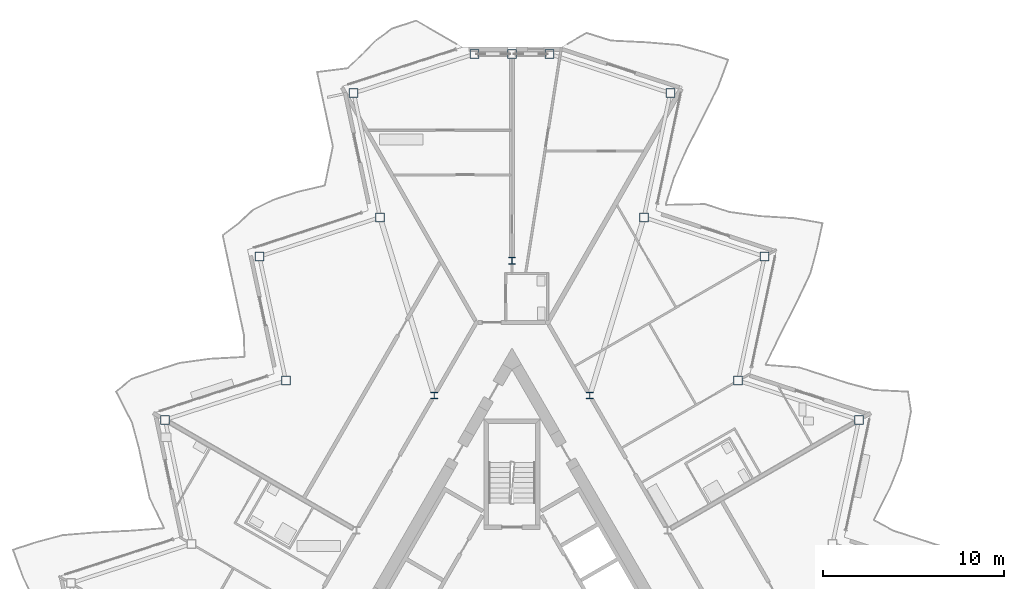
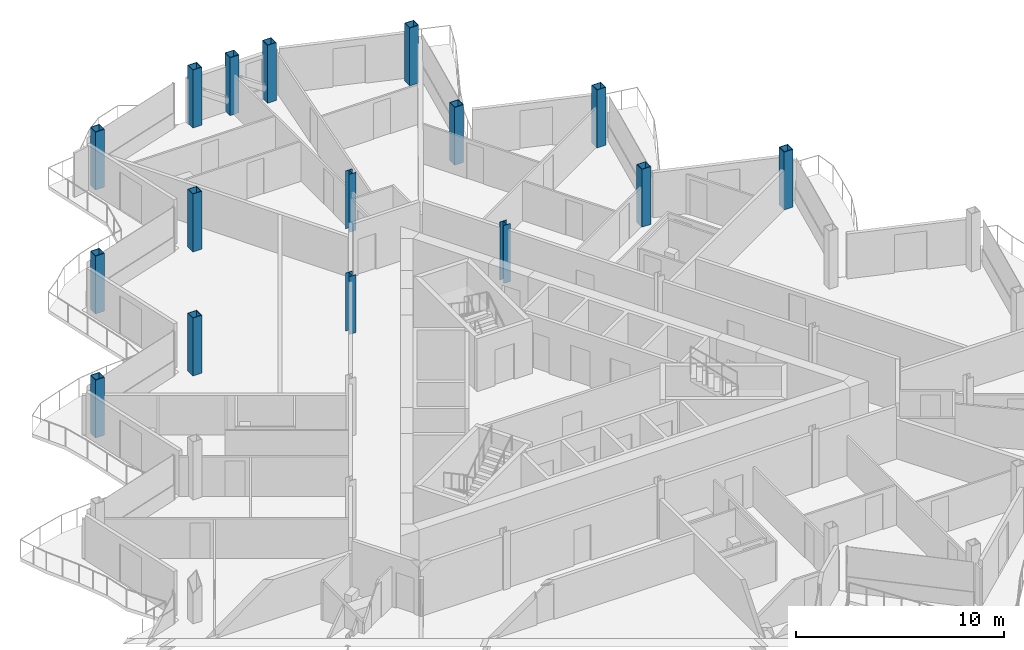
# One storey, part 3 of 26: 16 columns.
"""IFC4 building model written with IfcOpenShell, lengths in metres."""

from ifc_helpers import new_model, si_unit, direction, frame, origin, origin_2d, place, context, subcontext, project, spatial, hollow_rectangle, i_section, extrude, material, material_profile, profile_set, type_object, element, save


model = new_model("IFC4")

# Units and contexts
model_context = context("Model", 3, precision=1e-05, world=origin(), true_north=direction((0.0, 1.0)))
body_context = subcontext(model_context, "Body", "Model", "MODEL_VIEW")
ifc_project = project(units=[si_unit("LENGTHUNIT", "METRE"), si_unit("AREAUNIT", "SQUARE_METRE"), si_unit("VOLUMEUNIT", "CUBIC_METRE"), si_unit("PLANEANGLEUNIT", "RADIAN"), si_unit("MASSUNIT", "GRAM", prefix="KILO")], contexts=[model_context])

# Site, building, storey
site_placement = place(None, origin())
site = spatial("IfcSite", under=ifc_project, at=site_placement, CompositionType="ELEMENT")
building_placement = place(site_placement, origin())
building = spatial("IfcBuilding", under=site, at=building_placement, Name="Cormorant Prow Tower", CompositionType="ELEMENT")
storey_placement = place(building_placement, frame((0.0, 0.0, 364.39990234375)))
storey = spatial("IfcBuildingStorey", under=building, at=storey_placement, Name="L81", CompositionType="ELEMENT", Elevation=364.39990234375)

# Columns
ifc_material_1 = material(Name="Structural steel ASTM A572 Gr 50", Category="steel")
ifc_material_profile_1 = material_profile(ifc_material_1, hollow_rectangle(XDim=0.5, YDim=0.5, WallThickness=0.030029296875, at=origin_2d()), Name="Box 500x500x30")
ifc_profile_set_1 = profile_set([ifc_material_profile_1], Name="Structural steel ASTM A572 Gr 50")
column_type_1 = type_object("IfcColumnType", Name="Perimeter box column 500x500x30", PredefinedType="COLUMN", material=ifc_profile_set_1)
for number, where, z_axis, x_axis, name in (
    (1, (19.128662109375, 11.0439453125, 0.0), (0.0, 0.0, 1.0), (1.0, 0.0, 0.0), "Perimeter column C7 at ENE05 L81"),
    (2, (12.473876953125, 13.206298828125, 0.0), (0.0, 0.0, 1.0), (1.0, 0.0, 0.0), "Perimeter column C7 at ENE06 L81"),
    (3, (13.9287109375, 20.050537109375, 0.0), (0.0, 0.0, 1.0), (1.0, 0.0, 0.0), "Perimeter column C7 at ENE07 L81"),
    (4, (7.273681640625, 22.212890625, 0.0), (0.0, 0.0, 1.0), (1.0, 0.0, 0.0), "Perimeter column C7 at ENE08 L81"),
    (5, (8.728515625, 29.05712890625, 0.0), (0.0, 0.0, 1.0), (1.0, 0.0, 0.0), "Perimeter column C7 at ENE09 L81"),
    (6, (2.07373046875, 31.219482421875, 0.0), (0.0, 0.0, 1.0), (1.0, 0.0, 0.0), "Perimeter column C7 at N00 L81"),
    (7, (0.0, 31.219482421875, 0.0), (0.0, 0.0, 1.0), (1.0, 0.0, 0.0), "Perimeter column C7 at N01 L81"),
    (8, (-2.07373046875, 31.219482421875, 0.0), (0.0, 0.0, 1.0), (1.0, 0.0, 0.0), "Perimeter column C7 at WNW00 L81"),
    (9, (-8.728515625, 29.05712890625, 0.0), (0.0, 0.0, 1.0), (1.0, 0.0, 0.0), "Perimeter column C7 at WNW01 L81"),
    (10, (-7.273681640625, 22.212890625, 0.0), (0.0, 0.0, 1.0), (1.0, 0.0, 0.0), "Perimeter column C7 at WNW02 L81"),
    (11, (-13.9287109375, 20.050537109375, 0.0), (0.0, 0.0, 1.0), (1.0, 0.0, 0.0), "Perimeter column C7 at WNW03 L81"),
    (12, (-12.473876953125, 13.206298828125, 0.0), (0.0, 0.0, 1.0), (1.0, 0.0, 0.0), "Perimeter column C7 at WNW04 L81"),
    (13, (-19.128662109375, 11.0439453125, 0.0), (0.0, 0.0, 1.0), (1.0, 0.0, 0.0), "Perimeter column C7 at WNW05 L81"),
):
    element("IfcColumn", number, at=place(storey_placement, frame(where, z_axis=z_axis, x_axis=x_axis)), inside=storey, type_object=column_type_1, Name=name, PredefinedType="COLUMN", context=body_context, shape_type="SweptSolid", body=[
        extrude(hollow_rectangle(XDim=0.5, YDim=0.5, WallThickness=0.030029296875, at=origin_2d()), origin(), (0.0, 0.0, 1.0), 3.400146484375),
    ])
ifc_material_2 = material(Name="Structural steel ASTM A992 Gr 50", Category="steel")
ifc_material_profile_2 = material_profile(ifc_material_2, i_section(OverallWidth=0.3740234375, OverallDepth=0.372314453125, WebThickness=0.016357421875, FlangeThickness=0.026123046875, at=origin_2d()), Name="W14x132")
ifc_profile_set_2 = profile_set([ifc_material_profile_2], Name="Structural steel ASTM A992 Gr 50")
column_type_2 = type_object("IfcColumnType", Name="Ring column W14x132", PredefinedType="COLUMN", material=ifc_profile_set_2)
for number, where, z_axis, x_axis, name in (
    (14, (0.0, 19.81103515625, 0.0), (0.0, 0.0, 1.0), (1.0, 0.0, 0.0), "Ring column 1 L81"),
    (15, (-4.289306640625, 12.3818359375, 0.0), (0.0, 0.0, 1.0), (1.0, 0.0, 0.0), "Ring column 2 L81"),
    (16, (4.289306640625, 12.3818359375, 0.0), (0.0, 0.0, 1.0), (1.0, 0.0, 0.0), "Ring column 12 L81"),
):
    element("IfcColumn", number, at=place(storey_placement, frame(where, z_axis=z_axis, x_axis=x_axis)), inside=storey, type_object=column_type_2, Name=name, PredefinedType="COLUMN", context=body_context, shape_type="SweptSolid", body=[
        extrude(i_section(OverallWidth=0.3740234375, OverallDepth=0.372314453125, WebThickness=0.016357421875, FlangeThickness=0.026123046875, at=origin_2d()), origin(), (0.0, 0.0, 1.0), 3.400146484375),
    ])

save(model, "model.ifc")
